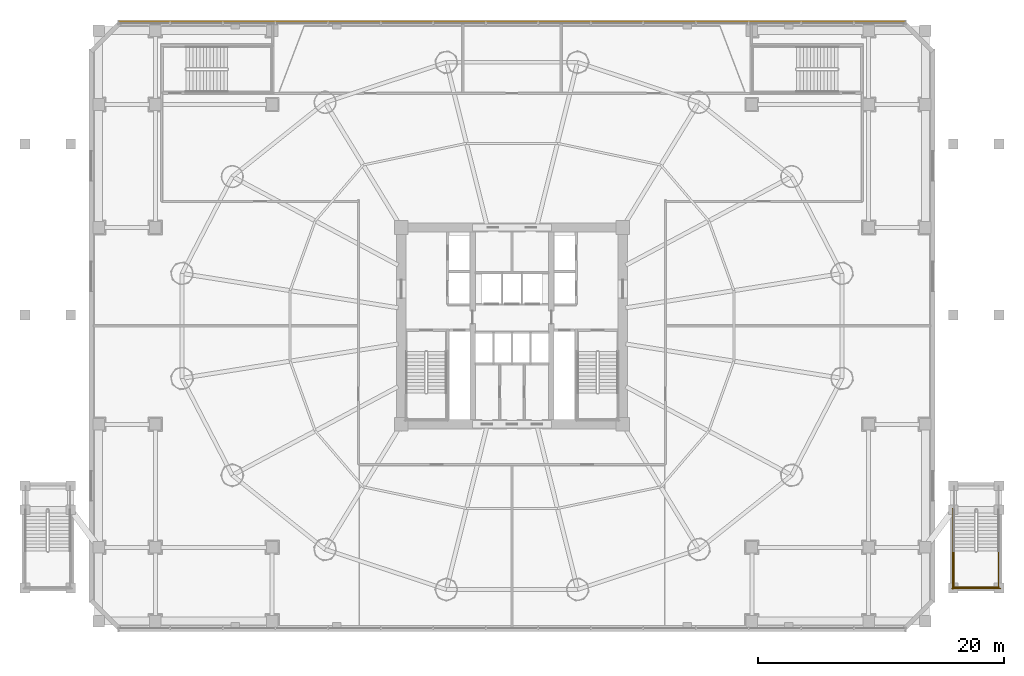
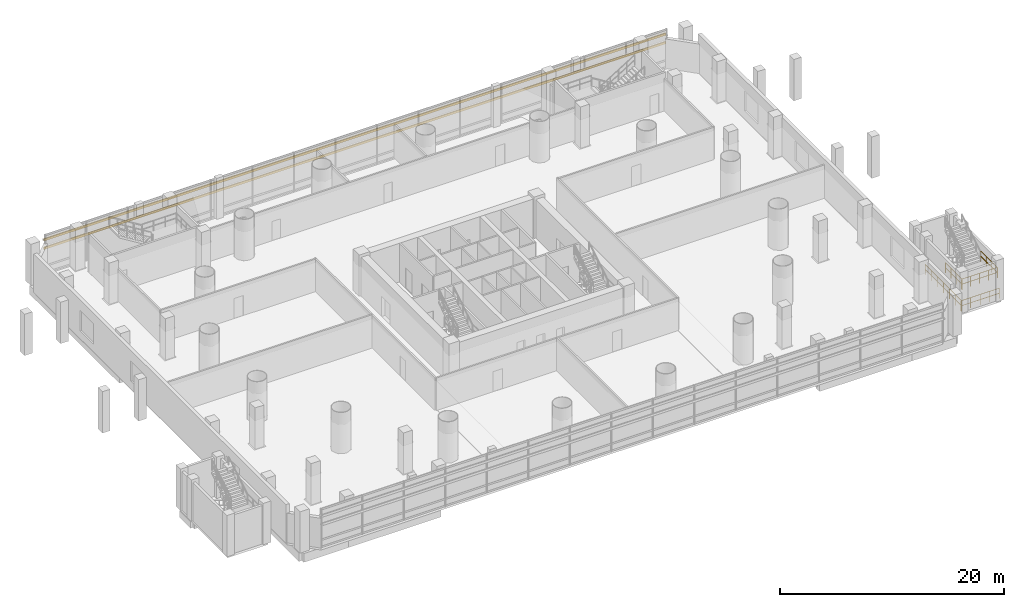
# One storey, part 34 of 36: 5 railings, 2 shading devices.
"""IFC4 building model written with IfcOpenShell, lengths in metres."""

from ifc_helpers import new_model, si_unit, direction, frame, origin, origin_2d, place, context, subcontext, project, spatial, rectangle, hollow_rectangle, extrude, source, transform, mapped, material, material_profile, profile_set, type_object, element, save


model = new_model("IFC4")

# Units and contexts
model_context = context("Model", 3, precision=1e-05, world=origin(), true_north=direction((-0.2419218956, 0.970295726276)))
body_context = subcontext(model_context, "Body", "Model", "MODEL_VIEW")
ifc_project = project(units=[si_unit("LENGTHUNIT", "METRE"), si_unit("AREAUNIT", "SQUARE_METRE"), si_unit("VOLUMEUNIT", "CUBIC_METRE"), si_unit("PLANEANGLEUNIT", "RADIAN"), si_unit("MASSUNIT", "GRAM", prefix="KILO")], contexts=[model_context])

# Site, building, storey
site_placement = place(None, origin())
site = spatial("IfcSite", under=ifc_project, at=site_placement, CompositionType="ELEMENT")
building_placement = place(site_placement, origin())
building = spatial("IfcBuilding", under=site, at=building_placement, Name="Cobrevalo Terracotta Tower", CompositionType="ELEMENT")
storey_placement = place(building_placement, frame((0.0, 0.0, 9.89990234375)))
storey = spatial("IfcBuildingStorey", under=building, at=storey_placement, Name="L02", CompositionType="ELEMENT", Elevation=9.89990234375)

# Railings
ifc_material_1 = material(Name="Painted galvanized steel", Category="steel")
railing_type = type_object("IfcRailingType", Name="Stair Well Guard Balustrade 1150", PredefinedType="GUARDRAIL", material=ifc_material_1)
for number, where, name in (
    (1, (73.929931640625, 8.489990234375, 2.25), "L02 ST-EXT-E stair guard 3"),
    (2, (77.550048828125, 8.489990234375, 2.25), "L02 ST-EXT-E stair guard 4"),
):
    element("IfcRailing", number, at=place(storey_placement, frame(where)), inside=storey, type_object=railing_type, Name=name, PredefinedType="GUARDRAIL", context=body_context, shape_type="SweptSolid", body=[
        extrude(rectangle(XDim=0.048095703125, YDim=0.048095703125, at=origin_2d()), frame((0.0, 0.0, 1.1259765625), z_axis=(0.0, -1.0, 0.0), x_axis=(1.0, 0.0, 0.0)), (0.0, 0.0, 1.0), 2.989990234375),
        extrude(rectangle(XDim=0.048095703125, YDim=0.048095703125, at=origin_2d()), frame((0.0, 0.0, 0.574951171875), z_axis=(0.0, -1.0, 0.0), x_axis=(1.0, 0.0, 0.0)), (0.0, 0.0, 1.0), 2.989990234375),
        extrude(rectangle(XDim=0.0419921875, YDim=0.0419921875, at=origin_2d()), origin(), (0.0, 0.0, 1.0), 1.101806640625),
        extrude(rectangle(XDim=0.0419921875, YDim=0.0419921875, at=origin_2d()), frame((0.0, -0.99658203125, 0.0)), (0.0, 0.0, 1.0), 1.101806640625),
        extrude(rectangle(XDim=0.0419921875, YDim=0.0419921875, at=origin_2d()), frame((0.0, -1.993408203125, 0.0)), (0.0, 0.0, 1.0), 1.101806640625),
        extrude(rectangle(XDim=0.0419921875, YDim=0.0419921875, at=origin_2d()), frame((0.0, -2.989990234375, 0.0)), (0.0, 0.0, 1.0), 1.101806640625),
    ])
railing_1_placement = place(storey_placement, frame((73.8798828125, 5.550048828125, 2.25)))
element("IfcRailing", 3, at=railing_1_placement, inside=storey, type_object=railing_type, Name="L02 ST-EXT-E stair guard 5", PredefinedType="GUARDRAIL", context=body_context, shape_type="SweptSolid", body=[
    extrude(rectangle(XDim=0.048095703125, YDim=0.048095703125, at=origin_2d()), frame((0.0, 0.0, 1.1259765625), z_axis=(1.0, 0.0, 0.0), x_axis=(0.0, 1.0, 0.0)), (0.0, 0.0, 1.0), 3.72021484375),
    extrude(rectangle(XDim=0.048095703125, YDim=0.048095703125, at=origin_2d()), frame((0.0, 0.0, 0.574951171875), z_axis=(1.0, 0.0, 0.0), x_axis=(0.0, 1.0, 0.0)), (0.0, 0.0, 1.0), 3.72021484375),
    extrude(rectangle(XDim=0.0419921875, YDim=0.0419921875, at=origin_2d()), origin(), (0.0, 0.0, 1.0), 1.101806640625),
    extrude(rectangle(XDim=0.0419921875, YDim=0.0419921875, at=origin_2d()), frame((0.93017578125, 0.0, 0.0)), (0.0, 0.0, 1.0), 1.101806640625),
    extrude(rectangle(XDim=0.0419921875, YDim=0.0419921875, at=origin_2d()), frame((1.860107421875, 0.0, 0.0)), (0.0, 0.0, 1.0), 1.101806640625),
    extrude(rectangle(XDim=0.0419921875, YDim=0.0419921875, at=origin_2d()), frame((2.7900390625, 0.0, 0.0)), (0.0, 0.0, 1.0), 1.101806640625),
    extrude(rectangle(XDim=0.0419921875, YDim=0.0419921875, at=origin_2d()), frame((3.72021484375, 0.0, 0.0)), (0.0, 0.0, 1.0), 1.101806640625),
])
railing_2_placement = place(storey_placement, frame((73.830078125, 11.949951171875, 0.0)))
element("IfcRailing", 4, at=railing_2_placement, inside=storey, type_object=railing_type, Name="L02 ST-EXT-E stair guard 10", PredefinedType="GUARDRAIL", context=body_context, shape_type="SweptSolid", body=[
    extrude(rectangle(XDim=0.048095703125, YDim=0.048095703125, at=origin_2d()), frame((0.0, 0.0, 1.1259765625), z_axis=(0.0, -1.0, 0.0), x_axis=(1.0, 0.0, 0.0)), (0.0, 0.0, 1.0), 6.550048828125),
    extrude(rectangle(XDim=0.048095703125, YDim=0.048095703125, at=origin_2d()), frame((0.0, 0.0, 0.574951171875), z_axis=(0.0, -1.0, 0.0), x_axis=(1.0, 0.0, 0.0)), (0.0, 0.0, 1.0), 6.550048828125),
    extrude(rectangle(XDim=0.0419921875, YDim=0.0419921875, at=origin_2d()), origin(), (0.0, 0.0, 1.0), 1.101806640625),
    extrude(rectangle(XDim=0.0419921875, YDim=0.0419921875, at=origin_2d()), frame((0.0, -1.091796875, 0.0)), (0.0, 0.0, 1.0), 1.101806640625),
    extrude(rectangle(XDim=0.0419921875, YDim=0.0419921875, at=origin_2d()), frame((0.0, -2.183349609375, 0.0)), (0.0, 0.0, 1.0), 1.101806640625),
    extrude(rectangle(XDim=0.0419921875, YDim=0.0419921875, at=origin_2d()), frame((0.0, -3.27490234375, 0.0)), (0.0, 0.0, 1.0), 1.101806640625),
    extrude(rectangle(XDim=0.0419921875, YDim=0.0419921875, at=origin_2d()), frame((0.0, -4.36669921875, 0.0)), (0.0, 0.0, 1.0), 1.101806640625),
    extrude(rectangle(XDim=0.0419921875, YDim=0.0419921875, at=origin_2d()), frame((0.0, -5.45849609375, 0.0)), (0.0, 0.0, 1.0), 1.101806640625),
    extrude(rectangle(XDim=0.0419921875, YDim=0.0419921875, at=origin_2d()), frame((0.0, -6.550048828125, 0.0)), (0.0, 0.0, 1.0), 1.101806640625),
])
railing_3_placement = place(storey_placement, frame((73.780029296875, 5.449951171875, 0.0)))
element("IfcRailing", 5, at=railing_3_placement, inside=storey, type_object=railing_type, Name="L02 ST-EXT-E stair guard 12", PredefinedType="GUARDRAIL", context=body_context, shape_type="SweptSolid", body=[
    extrude(rectangle(XDim=0.048095703125, YDim=0.048095703125, at=origin_2d()), frame((0.0, 0.0, 1.1259765625), z_axis=(1.0, 0.0, 0.0), x_axis=(0.0, 1.0, 0.0)), (0.0, 0.0, 1.0), 3.919921875),
    extrude(rectangle(XDim=0.048095703125, YDim=0.048095703125, at=origin_2d()), frame((0.0, 0.0, 0.574951171875), z_axis=(1.0, 0.0, 0.0), x_axis=(0.0, 1.0, 0.0)), (0.0, 0.0, 1.0), 3.919921875),
    extrude(rectangle(XDim=0.0419921875, YDim=0.0419921875, at=origin_2d()), origin(), (0.0, 0.0, 1.0), 1.101806640625),
    extrude(rectangle(XDim=0.0419921875, YDim=0.0419921875, at=origin_2d()), frame((0.97998046875, 0.0, 0.0)), (0.0, 0.0, 1.0), 1.101806640625),
    extrude(rectangle(XDim=0.0419921875, YDim=0.0419921875, at=origin_2d()), frame((1.9599609375, 0.0, 0.0)), (0.0, 0.0, 1.0), 1.101806640625),
    extrude(rectangle(XDim=0.0419921875, YDim=0.0419921875, at=origin_2d()), frame((2.93994140625, 0.0, 0.0)), (0.0, 0.0, 1.0), 1.101806640625),
    extrude(rectangle(XDim=0.0419921875, YDim=0.0419921875, at=origin_2d()), frame((3.919921875, 0.0, 0.0)), (0.0, 0.0, 1.0), 1.101806640625),
])

# Shading devices
ifc_material_2 = material(Name="Extruded fired architectural terracotta", Category="masonry")
ifc_material_profile = material_profile(ifc_material_2, hollow_rectangle(XDim=0.110107421875, YDim=0.239990234375, WallThickness=0.01806640625, at=origin_2d()), Name="BAGUETTE 110x240")
ifc_profile_set = profile_set([ifc_material_profile], Name="Extruded fired architectural terracotta")
shading_device_type = type_object("IfcShadingDeviceType", Name="Horizontal Terracotta Baguette Screen 110x240", PredefinedType="USERDEFINED", material=ifc_profile_set)
shared_shape = source(origin(), body_context, "Body", "SweptSolid", [
    extrude(hollow_rectangle(XDim=0.110107421875, YDim=0.239990234375, WallThickness=0.01806640625, at=origin_2d()), origin(), (0.0, 0.0, 1.0), 64.02001953125),
])
for number, where, z_axis, x_axis, name in (
    (6, (70.010009765625, 51.580078125, 2.60400390625), (-1.0, 0.0, 0.0), (0.0, -1.0, 0.0), "CW-POD-L02-N horizontal terracotta baguette 1"),
    (7, (70.010009765625, 51.580078125, 3.528076171875), (-1.0, 0.0, 0.0), (0.0, -1.0, 0.0), "CW-POD-L02-N horizontal terracotta baguette 2"),
):
    element("IfcShadingDevice", number, at=place(storey_placement, frame(where, z_axis=z_axis, x_axis=x_axis)), inside=storey, type_object=shading_device_type, Name=name, ObjectType="BAGUETTE", PredefinedType="USERDEFINED", context=body_context, shape_type="MappedRepresentation", body=[
        mapped(shared_shape, transform((0.0, 0.0, 0.0), scale=1.0)),
    ])

save(model, "model.ifc")
